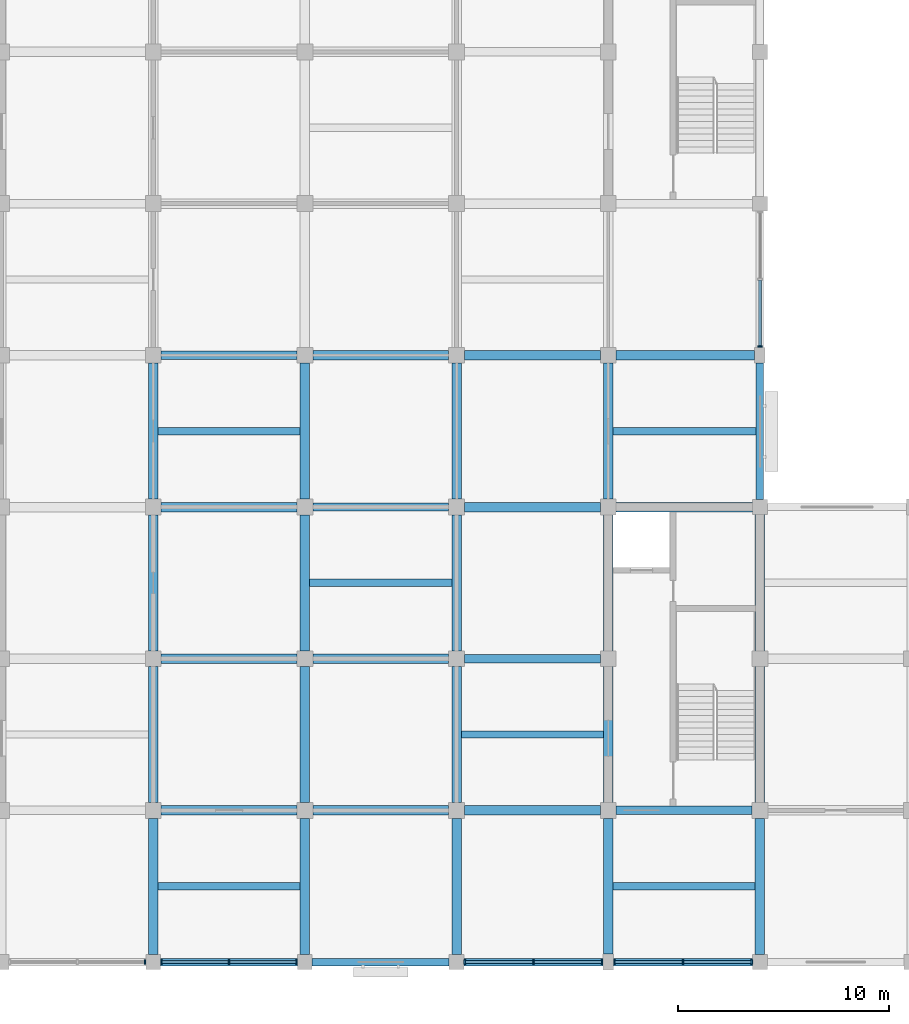
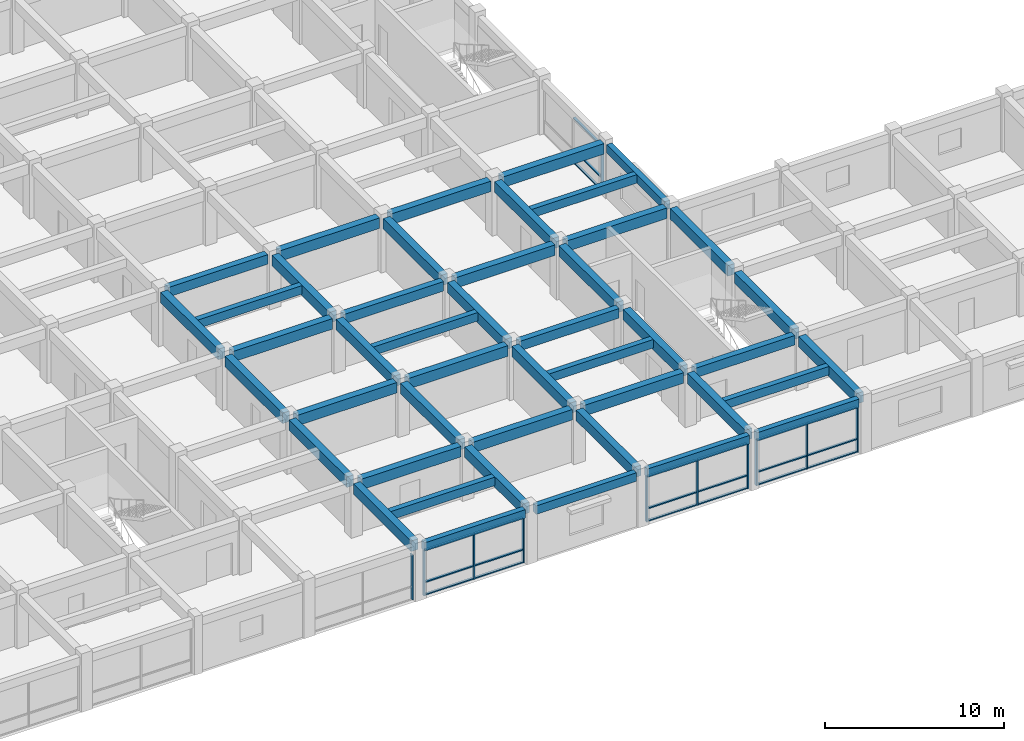
# One storey, part 7 of 25: 45 beams, 32 members, 5 elements without a shape of their own.
"""IFC4 building model written with IfcOpenShell, lengths in metres."""

from ifc_helpers import new_model, si_unit, direction, frame, origin, origin_2d, place, context, subcontext, project, spatial, rectangle, extrude, material, layer, layer_set, material_profile, profile_set, type_object, element, aggregate, save


model = new_model("IFC4")

# Units and contexts
model_context = context("Model", 3, precision=1e-05, world=origin(), true_north=direction((0.0, 1.0)))
body_context = subcontext(model_context, "Body", "Model", "MODEL_VIEW")
ifc_project = project(units=[si_unit("LENGTHUNIT", "METRE"), si_unit("AREAUNIT", "SQUARE_METRE"), si_unit("VOLUMEUNIT", "CUBIC_METRE"), si_unit("PLANEANGLEUNIT", "RADIAN"), si_unit("MASSUNIT", "GRAM", prefix="KILO")], contexts=[model_context])

# Site, building, storey
site_placement = place(None, origin())
site = spatial("IfcSite", under=ifc_project, at=site_placement, CompositionType="ELEMENT")
building_placement = place(site_placement, origin())
building = spatial("IfcBuilding", under=site, at=building_placement, Name="Cendaluz Park School", CompositionType="ELEMENT")
storey_placement = place(building_placement, frame((0.0, 0.0, 18.60009765625)))
storey = spatial("IfcBuildingStorey", under=building, at=storey_placement, Name="L04", CompositionType="ELEMENT", Elevation=18.60009765625)

# Beams
ifc_material_1 = material(Name="Concrete C40/50", Category="concrete")
ifc_material_profile_1 = material_profile(ifc_material_1, rectangle(XDim=0.449951171875, YDim=0.719970703125, at=origin_2d()), Name="RC 450x720", Category="concrete")
ifc_profile_set_1 = profile_set([ifc_material_profile_1], Name="Concrete C40/50")
beam_type_1 = type_object("IfcBeamType", Name="BM-RC02", PredefinedType="BEAM", material=ifc_profile_set_1)
for number, where, z_axis, x_axis, name in (
    (1, (79.574951171875, 14.39990234375, 3.329833984375), (1.0, 0.0, 0.0), (0.0, 1.0, 0.0), "BM-L04-BMRC02-0047"),
    (2, (79.574951171875, 21.60009765625, 3.329833984375), (1.0, 0.0, 0.0), (0.0, 1.0, 0.0), "BM-L04-BMRC02-0048"),
    (3, (79.574951171875, 28.800048828125, 3.329833984375), (1.0, 0.0, 0.0), (0.0, 1.0, 0.0), "BM-L04-BMRC02-0049"),
):
    element("IfcBeam", number, at=place(storey_placement, frame(where, z_axis=z_axis, x_axis=x_axis)), inside=storey, type_object=beam_type_1, Name=name, PredefinedType="BEAM", context=body_context, shape_type="SweptSolid", body=[
        extrude(rectangle(XDim=0.449951171875, YDim=0.719970703125, at=origin_2d()), origin(), (0.0, 0.0, 1.0), 6.449951171875),
    ])
for number, where, z_axis, x_axis, name in (
    (4, (86.77490234375, 14.39990234375, 3.329833984375), (1.0, 0.0, 0.0), (0.0, 1.0, 0.0), "BM-L04-BMRC02-0057"),
    (5, (86.77490234375, 21.60009765625, 3.329833984375), (1.0, 0.0, 0.0), (0.0, 1.0, 0.0), "BM-L04-BMRC02-0058"),
    (6, (86.77490234375, 36.0, 3.329833984375), (1.0, 0.0, 0.0), (0.0, 1.0, 0.0), "BM-L04-BMRC02-0060"),
):
    element("IfcBeam", number, at=place(storey_placement, frame(where, z_axis=z_axis, x_axis=x_axis)), inside=storey, type_object=beam_type_1, Name=name, PredefinedType="BEAM", context=body_context, shape_type="SweptSolid", body=[
        extrude(rectangle(XDim=0.449951171875, YDim=0.719970703125, at=origin_2d()), origin(), (0.0, 0.0, 1.0), 6.4501953125),
    ])
for number, where, z_axis, x_axis, name in (
    (7, (93.97509765625, 14.39990234375, 3.329833984375), (1.0, 0.0, 0.0), (0.0, 1.0, 0.0), "BM-L04-BMRC02-0067"),
    (8, (93.97509765625, 28.800048828125, 3.329833984375), (1.0, 0.0, 0.0), (0.0, 1.0, 0.0), "BM-L04-BMRC02-0069"),
    (9, (93.97509765625, 36.0, 3.329833984375), (1.0, 0.0, 0.0), (0.0, 1.0, 0.0), "BM-L04-BMRC02-0070"),
):
    element("IfcBeam", number, at=place(storey_placement, frame(where, z_axis=z_axis, x_axis=x_axis)), inside=storey, type_object=beam_type_1, Name=name, PredefinedType="BEAM", context=body_context, shape_type="SweptSolid", body=[
        extrude(rectangle(XDim=0.449951171875, YDim=0.719970703125, at=origin_2d()), origin(), (0.0, 0.0, 1.0), 6.449951171875),
    ])
beam_1_placement = place(storey_placement, frame((101.175048828125, 28.800048828125, 3.329833984375), z_axis=(1.0, 0.0, 0.0), x_axis=(0.0, 1.0, 0.0)))
element("IfcBeam", 10, at=beam_1_placement, inside=storey, type_object=beam_type_1, Name="BM-L04-BMRC02-0078", PredefinedType="BEAM", context=body_context, shape_type="SweptSolid", body=[
    extrude(rectangle(XDim=0.449951171875, YDim=0.719970703125, at=origin_2d()), origin(), (0.0, 0.0, 1.0), 6.474853515625),
])
beam_2_placement = place(storey_placement, frame((101.175048828125, 36.0, 3.329833984375), z_axis=(1.0, 0.0, 0.0), x_axis=(0.0, 1.0, 0.0)))
element("IfcBeam", 11, at=beam_2_placement, inside=storey, type_object=beam_type_1, Name="BM-L04-BMRC02-0079", PredefinedType="BEAM", context=body_context, shape_type="SweptSolid", body=[
    extrude(rectangle(XDim=0.449951171875, YDim=0.719970703125, at=origin_2d()), origin(), (0.0, 0.0, 1.0), 6.574951171875),
])
beam_3_placement = place(storey_placement, frame((79.199951171875, 7.550048828125, 3.329833984375), z_axis=(0.0, 1.0, 0.0), x_axis=(-1.0, 0.0, 0.0)))
element("IfcBeam", 12, at=beam_3_placement, inside=storey, type_object=beam_type_1, Name="BM-L04-BMRC02-0150", PredefinedType="BEAM", context=body_context, shape_type="SweptSolid", body=[
    extrude(rectangle(XDim=0.449951171875, YDim=0.719970703125, at=origin_2d()), origin(), (0.0, 0.0, 1.0), 6.474853515625),
])
beam_4_placement = place(storey_placement, frame((79.199951171875, 14.77490234375, 3.329833984375), z_axis=(0.0, 1.0, 0.0), x_axis=(-1.0, 0.0, 0.0)))
element("IfcBeam", 13, at=beam_4_placement, inside=storey, type_object=beam_type_1, Name="BM-L04-BMRC02-0151", PredefinedType="BEAM", context=body_context, shape_type="SweptSolid", body=[
    extrude(rectangle(XDim=0.449951171875, YDim=0.719970703125, at=origin_2d()), origin(), (0.0, 0.0, 1.0), 6.4501953125),
])
for number, where, z_axis, x_axis, name in (
    (14, (79.199951171875, 21.97509765625, 3.329833984375), (0.0, 1.0, 0.0), (-1.0, 0.0, 0.0), "BM-L04-BMRC02-0152"),
    (15, (79.199951171875, 29.175048828125, 3.329833984375), (0.0, 1.0, 0.0), (-1.0, 0.0, 0.0), "BM-L04-BMRC02-0153"),
):
    element("IfcBeam", number, at=place(storey_placement, frame(where, z_axis=z_axis, x_axis=x_axis)), inside=storey, type_object=beam_type_1, Name=name, PredefinedType="BEAM", context=body_context, shape_type="SweptSolid", body=[
        extrude(rectangle(XDim=0.449951171875, YDim=0.719970703125, at=origin_2d()), origin(), (0.0, 0.0, 1.0), 6.449951171875),
    ])
beam_5_placement = place(storey_placement, frame((86.39990234375, 7.550048828125, 3.329833984375), z_axis=(0.0, 1.0, 0.0), x_axis=(-1.0, 0.0, 0.0)))
element("IfcBeam", 16, at=beam_5_placement, inside=storey, type_object=beam_type_1, Name="BM-L04-BMRC02-0159", PredefinedType="BEAM", context=body_context, shape_type="SweptSolid", body=[
    extrude(rectangle(XDim=0.449951171875, YDim=0.719970703125, at=origin_2d()), origin(), (0.0, 0.0, 1.0), 6.474853515625),
])
beam_6_placement = place(storey_placement, frame((86.39990234375, 14.77490234375, 3.329833984375), z_axis=(0.0, 1.0, 0.0), x_axis=(-1.0, 0.0, 0.0)))
element("IfcBeam", 17, at=beam_6_placement, inside=storey, type_object=beam_type_1, Name="BM-L04-BMRC02-0160", PredefinedType="BEAM", context=body_context, shape_type="SweptSolid", body=[
    extrude(rectangle(XDim=0.449951171875, YDim=0.719970703125, at=origin_2d()), origin(), (0.0, 0.0, 1.0), 6.4501953125),
])
for number, where, z_axis, x_axis, name in (
    (18, (86.39990234375, 21.97509765625, 3.329833984375), (0.0, 1.0, 0.0), (-1.0, 0.0, 0.0), "BM-L04-BMRC02-0161"),
    (19, (86.39990234375, 29.175048828125, 3.329833984375), (0.0, 1.0, 0.0), (-1.0, 0.0, 0.0), "BM-L04-BMRC02-0162"),
):
    element("IfcBeam", number, at=place(storey_placement, frame(where, z_axis=z_axis, x_axis=x_axis)), inside=storey, type_object=beam_type_1, Name=name, PredefinedType="BEAM", context=body_context, shape_type="SweptSolid", body=[
        extrude(rectangle(XDim=0.449951171875, YDim=0.719970703125, at=origin_2d()), origin(), (0.0, 0.0, 1.0), 6.449951171875),
    ])
beam_7_placement = place(storey_placement, frame((93.60009765625, 7.550048828125, 3.329833984375), z_axis=(0.0, 1.0, 0.0), x_axis=(-1.0, 0.0, 0.0)))
element("IfcBeam", 20, at=beam_7_placement, inside=storey, type_object=beam_type_1, Name="BM-L04-BMRC02-0168", PredefinedType="BEAM", context=body_context, shape_type="SweptSolid", body=[
    extrude(rectangle(XDim=0.449951171875, YDim=0.719970703125, at=origin_2d()), origin(), (0.0, 0.0, 1.0), 6.474853515625),
])
beam_8_placement = place(storey_placement, frame((93.60009765625, 14.77490234375, 3.329833984375), z_axis=(0.0, 1.0, 0.0), x_axis=(-1.0, 0.0, 0.0)))
element("IfcBeam", 21, at=beam_8_placement, inside=storey, type_object=beam_type_1, Name="BM-L04-BMRC02-0169", PredefinedType="BEAM", context=body_context, shape_type="SweptSolid", body=[
    extrude(rectangle(XDim=0.449951171875, YDim=0.719970703125, at=origin_2d()), origin(), (0.0, 0.0, 1.0), 6.4501953125),
])
for number, where, z_axis, x_axis, name in (
    (22, (93.60009765625, 21.97509765625, 3.329833984375), (0.0, 1.0, 0.0), (-1.0, 0.0, 0.0), "BM-L04-BMRC02-0170"),
    (23, (93.60009765625, 29.175048828125, 3.329833984375), (0.0, 1.0, 0.0), (-1.0, 0.0, 0.0), "BM-L04-BMRC02-0171"),
    (24, (100.800048828125, 7.574951171875, 3.329833984375), (0.0, 1.0, 0.0), (-1.0, 0.0, 0.0), "BM-L04-BMRC02-0177"),
):
    element("IfcBeam", number, at=place(storey_placement, frame(where, z_axis=z_axis, x_axis=x_axis)), inside=storey, type_object=beam_type_1, Name=name, PredefinedType="BEAM", context=body_context, shape_type="SweptSolid", body=[
        extrude(rectangle(XDim=0.449951171875, YDim=0.719970703125, at=origin_2d()), origin(), (0.0, 0.0, 1.0), 6.449951171875),
    ])
beam_9_placement = place(storey_placement, frame((100.800048828125, 14.77490234375, 3.329833984375), z_axis=(0.0, 1.0, 0.0), x_axis=(-1.0, 0.0, 0.0)))
element("IfcBeam", 25, at=beam_9_placement, inside=storey, type_object=beam_type_1, Name="BM-L04-BMRC02-0178", PredefinedType="BEAM", context=body_context, shape_type="SweptSolid", body=[
    extrude(rectangle(XDim=0.449951171875, YDim=0.719970703125, at=origin_2d()), origin(), (0.0, 0.0, 1.0), 6.4501953125),
])
for number, where, z_axis, x_axis, name in (
    (26, (100.800048828125, 21.97509765625, 3.329833984375), (0.0, 1.0, 0.0), (-1.0, 0.0, 0.0), "BM-L04-BMRC02-0179"),
    (27, (100.800048828125, 29.175048828125, 3.329833984375), (0.0, 1.0, 0.0), (-1.0, 0.0, 0.0), "BM-L04-BMRC02-0180"),
):
    element("IfcBeam", number, at=place(storey_placement, frame(where, z_axis=z_axis, x_axis=x_axis)), inside=storey, type_object=beam_type_1, Name=name, PredefinedType="BEAM", context=body_context, shape_type="SweptSolid", body=[
        extrude(rectangle(XDim=0.449951171875, YDim=0.719970703125, at=origin_2d()), origin(), (0.0, 0.0, 1.0), 6.449951171875),
    ])
beam_10_placement = place(storey_placement, frame((108.0, 7.550048828125, 3.329833984375), z_axis=(0.0, 1.0, 0.0), x_axis=(-1.0, 0.0, 0.0)))
element("IfcBeam", 28, at=beam_10_placement, inside=storey, type_object=beam_type_1, Name="BM-L04-BMRC02-0186", PredefinedType="BEAM", context=body_context, shape_type="SweptSolid", body=[
    extrude(rectangle(XDim=0.449951171875, YDim=0.719970703125, at=origin_2d()), origin(), (0.0, 0.0, 1.0), 6.474853515625),
])
beam_11_placement = place(storey_placement, frame((108.0, 14.77490234375, 3.329833984375), z_axis=(0.0, 1.0, 0.0), x_axis=(-1.0, 0.0, 0.0)))
element("IfcBeam", 29, at=beam_11_placement, inside=storey, type_object=beam_type_1, Name="BM-L04-BMRC02-0187", PredefinedType="BEAM", context=body_context, shape_type="SweptSolid", body=[
    extrude(rectangle(XDim=0.449951171875, YDim=0.719970703125, at=origin_2d()), origin(), (0.0, 0.0, 1.0), 6.4501953125),
])
beam_12_placement = place(storey_placement, frame((108.0, 21.97509765625, 3.329833984375), z_axis=(0.0, 1.0, 0.0), x_axis=(-1.0, 0.0, 0.0)))
element("IfcBeam", 30, at=beam_12_placement, inside=storey, type_object=beam_type_1, Name="BM-L04-BMRC02-0188", PredefinedType="BEAM", context=body_context, shape_type="SweptSolid", body=[
    extrude(rectangle(XDim=0.449951171875, YDim=0.719970703125, at=origin_2d()), origin(), (0.0, 0.0, 1.0), 6.474853515625),
])
ifc_material_profile_2 = material_profile(ifc_material_1, rectangle(XDim=0.39990234375, YDim=0.64990234375, at=origin_2d()), Name="RC 400x650", Category="concrete")
ifc_profile_set_2 = profile_set([ifc_material_profile_2], Name="Concrete C40/50")
beam_type_2 = type_object("IfcBeamType", Name="BM-RC03", PredefinedType="T_BEAM", material=ifc_profile_set_2)
beam_13_placement = place(storey_placement, frame((79.574951171875, 36.0, 3.364990234375), z_axis=(1.0, 0.0, 0.0), x_axis=(0.0, 1.0, 0.0)))
element("IfcBeam", 31, at=beam_13_placement, inside=storey, type_object=beam_type_2, Name="BM-L04-BMRC03-0050", PredefinedType="T_BEAM", context=body_context, shape_type="SweptSolid", body=[
    extrude(rectangle(XDim=0.39990234375, YDim=0.64990234375, at=origin_2d()), origin(), (0.0, 0.0, 1.0), 6.449951171875),
])
beam_14_placement = place(storey_placement, frame((86.77490234375, 28.800048828125, 3.364990234375), z_axis=(1.0, 0.0, 0.0), x_axis=(0.0, 1.0, 0.0)))
element("IfcBeam", 32, at=beam_14_placement, inside=storey, type_object=beam_type_2, Name="BM-L04-BMRC03-0059", PredefinedType="T_BEAM", context=body_context, shape_type="SweptSolid", body=[
    extrude(rectangle(XDim=0.39990234375, YDim=0.64990234375, at=origin_2d()), origin(), (0.0, 0.0, 1.0), 6.4501953125),
])
for number, where, z_axis, x_axis, name in (
    (33, (93.97509765625, 21.60009765625, 3.364990234375), (1.0, 0.0, 0.0), (0.0, 1.0, 0.0), "BM-L04-BMRC03-0068"),
    (34, (101.175048828125, 14.39990234375, 3.364990234375), (1.0, 0.0, 0.0), (0.0, 1.0, 0.0), "BM-L04-BMRC03-0077"),
):
    element("IfcBeam", number, at=place(storey_placement, frame(where, z_axis=z_axis, x_axis=x_axis)), inside=storey, type_object=beam_type_2, Name=name, PredefinedType="T_BEAM", context=body_context, shape_type="SweptSolid", body=[
        extrude(rectangle(XDim=0.39990234375, YDim=0.64990234375, at=origin_2d()), origin(), (0.0, 0.0, 1.0), 6.449951171875),
    ])
ifc_material_profile_3 = material_profile(ifc_material_1, rectangle(XDim=0.35009765625, YDim=0.580078125, at=origin_2d()), Name="RC 350x580", Category="concrete")
ifc_profile_set_3 = profile_set([ifc_material_profile_3], Name="Concrete C40/50")
beam_type_3 = type_object("IfcBeamType", Name="BM-RC04", PredefinedType="LINTEL", material=ifc_profile_set_3)
for number, where, z_axis, x_axis, name in (
    (35, (79.550048828125, 7.199951171875, 3.39990234375), (1.0, 0.0, 0.0), (0.0, 1.0, 0.0), "BM-L04-BMRC04-0046"),
    (36, (86.75, 7.199951171875, 3.39990234375), (1.0, 0.0, 0.0), (0.0, 1.0, 0.0), "BM-L04-BMRC04-0056"),
):
    element("IfcBeam", number, at=place(storey_placement, frame(where, z_axis=z_axis, x_axis=x_axis)), inside=storey, type_object=beam_type_3, Name=name, PredefinedType="LINTEL", context=body_context, shape_type="SweptSolid", body=[
        extrude(rectangle(XDim=0.35009765625, YDim=0.580078125, at=origin_2d()), origin(), (0.0, 0.0, 1.0), 6.5),
    ])
beam_15_placement = place(storey_placement, frame((93.949951171875, 7.199951171875, 3.39990234375), z_axis=(1.0, 0.0, 0.0), x_axis=(0.0, 1.0, 0.0)))
element("IfcBeam", 37, at=beam_15_placement, inside=storey, type_object=beam_type_3, Name="BM-L04-BMRC04-0066", PredefinedType="LINTEL", context=body_context, shape_type="SweptSolid", body=[
    extrude(rectangle(XDim=0.35009765625, YDim=0.580078125, at=origin_2d()), origin(), (0.0, 0.0, 1.0), 6.60009765625),
])
beam_16_placement = place(storey_placement, frame((101.050048828125, 7.199951171875, 3.39990234375), z_axis=(1.0, 0.0, 0.0), x_axis=(0.0, 1.0, 0.0)))
element("IfcBeam", 38, at=beam_16_placement, inside=storey, type_object=beam_type_3, Name="BM-L04-BMRC04-0076", PredefinedType="LINTEL", context=body_context, shape_type="SweptSolid", body=[
    extrude(rectangle(XDim=0.35009765625, YDim=0.580078125, at=origin_2d()), origin(), (0.0, 0.0, 1.0), 6.599853515625),
])
beam_17_placement = place(storey_placement, frame((108.0, 29.14990234375, 3.39990234375), z_axis=(0.0, 1.0, 0.0), x_axis=(-1.0, 0.0, 0.0)))
element("IfcBeam", 39, at=beam_17_placement, inside=storey, type_object=beam_type_3, Name="BM-L04-BMRC04-0189", PredefinedType="LINTEL", context=body_context, shape_type="SweptSolid", body=[
    extrude(rectangle(XDim=0.35009765625, YDim=0.580078125, at=origin_2d()), origin(), (0.0, 0.0, 1.0), 6.47509765625),
])

# Curtain wall, member
ifc_material_2 = material(Name="Anodised Aluminium 6063-T6", Category="aluminium")
ifc_layer_1 = layer(ifc_material_2, 0.179931640625)
ifc_layer_set_1 = layer_set([ifc_layer_1], Name="Anodised Aluminium 6063-T6")
curtain_wall_type_1 = type_object("IfcCurtainWallType", Name="CW-130x62", PredefinedType="NOTDEFINED", material=ifc_layer_set_1)
curtain_wall_1_placement = place(storey_placement, origin())
curtain_wall_1 = element("IfcCurtainWall", 40, at=curtain_wall_1_placement, inside=storey, type_object=curtain_wall_type_1, Name="CW-L04-175", PredefinedType="NOTDEFINED")
ifc_material_profile_4 = material_profile(ifc_material_2, rectangle(XDim=0.199951171875, YDim=0.080078125, at=origin_2d()), Name="CWM 200x80", Category="aluminium")
ifc_profile_set_4 = profile_set([ifc_material_profile_4], Name="Anodised Aluminium 6063-T6")
member_type_1 = type_object("IfcMemberType", Name="CWM-02", PredefinedType="MULLION", material=ifc_profile_set_4)
member_1_placement = place(storey_placement, frame((78.81005859375, 7.199951171875, 0.0), z_axis=(0.0, 0.0, 1.0), x_axis=(0.0, 1.0, 0.0)))
member_1 = element("IfcMember", 41, at=member_1_placement, type_object=member_type_1, Name="CP-L04-2265", PredefinedType="MULLION", context=body_context, shape_type="SweptSolid", body=[
    extrude(rectangle(XDim=0.199951171875, YDim=0.080078125, at=origin_2d()), origin(), (0.0, 0.0, 1.0), 3.10986328125),
])
aggregate(curtain_wall_1, [member_1])

# Curtain wall, members
curtain_wall_2_placement = place(storey_placement, origin())
curtain_wall_2 = element("IfcCurtainWall", 42, at=curtain_wall_2_placement, inside=storey, type_object=curtain_wall_type_1, Name="CW-L04-177", PredefinedType="NOTDEFINED")
member_2_placement = place(storey_placement, frame((79.590087890625, 7.199951171875, 0.0), z_axis=(0.0, 0.0, 1.0), x_axis=(0.0, 1.0, 0.0)))
member_2 = element("IfcMember", 43, at=member_2_placement, type_object=member_type_1, Name="CP-L04-2289", PredefinedType="MULLION", context=body_context, shape_type="SweptSolid", body=[
    extrude(rectangle(XDim=0.199951171875, YDim=0.080078125, at=origin_2d()), origin(), (0.0, 0.0, 1.0), 3.10986328125),
])
member_3_placement = place(storey_placement, frame((82.800048828125, 7.199951171875, 0.0), z_axis=(0.0, 0.0, 1.0), x_axis=(0.0, 1.0, 0.0)))
member_3 = element("IfcMember", 44, at=member_3_placement, type_object=member_type_1, Name="CP-L04-2290", PredefinedType="MULLION", context=body_context, shape_type="SweptSolid", body=[
    extrude(rectangle(XDim=0.199951171875, YDim=0.080078125, at=origin_2d()), origin(), (0.0, 0.0, 1.0), 3.10986328125),
])
member_4_placement = place(storey_placement, frame((86.010009765625, 7.199951171875, 0.0), z_axis=(0.0, 0.0, 1.0), x_axis=(0.0, 1.0, 0.0)))
member_4 = element("IfcMember", 45, at=member_4_placement, type_object=member_type_1, Name="CP-L04-2291", PredefinedType="MULLION", context=body_context, shape_type="SweptSolid", body=[
    extrude(rectangle(XDim=0.199951171875, YDim=0.080078125, at=origin_2d()), origin(), (0.0, 0.0, 1.0), 3.10986328125),
])

ifc_layer_2 = layer(ifc_material_2, 0.179931640625)
ifc_layer_set_2 = layer_set([ifc_layer_2], Name="Anodised Aluminium 6063-T6")
curtain_wall_type_2 = type_object("IfcCurtainWallType", Name="CW-132x62", PredefinedType="NOTDEFINED", material=ifc_layer_set_2)
curtain_wall_3_placement = place(storey_placement, origin())
curtain_wall_3 = element("IfcCurtainWall", 46, at=curtain_wall_3_placement, inside=storey, type_object=curtain_wall_type_2, Name="CW-L04-179", PredefinedType="NOTDEFINED")
member_5_placement = place(storey_placement, frame((93.989990234375, 7.199951171875, 0.0), z_axis=(0.0, 0.0, 1.0), x_axis=(0.0, 1.0, 0.0)))
member_5 = element("IfcMember", 47, at=member_5_placement, type_object=member_type_1, Name="CP-L04-2315", PredefinedType="MULLION", context=body_context, shape_type="SweptSolid", body=[
    extrude(rectangle(XDim=0.199951171875, YDim=0.080078125, at=origin_2d()), origin(), (0.0, 0.0, 1.0), 3.10986328125),
])
member_6_placement = place(storey_placement, frame((97.25, 7.199951171875, 0.0), z_axis=(0.0, 0.0, 1.0), x_axis=(0.0, 1.0, 0.0)))
member_6 = element("IfcMember", 48, at=member_6_placement, type_object=member_type_1, Name="CP-L04-2316", PredefinedType="MULLION", context=body_context, shape_type="SweptSolid", body=[
    extrude(rectangle(XDim=0.199951171875, YDim=0.080078125, at=origin_2d()), origin(), (0.0, 0.0, 1.0), 3.10986328125),
])
member_7_placement = place(storey_placement, frame((100.510009765625, 7.199951171875, 0.0), z_axis=(0.0, 0.0, 1.0), x_axis=(0.0, 1.0, 0.0)))
member_7 = element("IfcMember", 49, at=member_7_placement, type_object=member_type_1, Name="CP-L04-2317", PredefinedType="MULLION", context=body_context, shape_type="SweptSolid", body=[
    extrude(rectangle(XDim=0.199951171875, YDim=0.080078125, at=origin_2d()), origin(), (0.0, 0.0, 1.0), 3.10986328125),
])

curtain_wall_4_placement = place(storey_placement, origin())
curtain_wall_4 = element("IfcCurtainWall", 50, at=curtain_wall_4_placement, inside=storey, type_object=curtain_wall_type_2, Name="CW-L04-181", PredefinedType="NOTDEFINED")
member_8_placement = place(storey_placement, frame((101.090087890625, 7.199951171875, 0.0), z_axis=(0.0, 0.0, 1.0), x_axis=(0.0, 1.0, 0.0)))
member_8 = element("IfcMember", 51, at=member_8_placement, type_object=member_type_1, Name="CP-L04-2341", PredefinedType="MULLION", context=body_context, shape_type="SweptSolid", body=[
    extrude(rectangle(XDim=0.199951171875, YDim=0.080078125, at=origin_2d()), origin(), (0.0, 0.0, 1.0), 3.10986328125),
])
member_9_placement = place(storey_placement, frame((104.35009765625, 7.199951171875, 0.0), z_axis=(0.0, 0.0, 1.0), x_axis=(0.0, 1.0, 0.0)))
member_9 = element("IfcMember", 52, at=member_9_placement, type_object=member_type_1, Name="CP-L04-2342", PredefinedType="MULLION", context=body_context, shape_type="SweptSolid", body=[
    extrude(rectangle(XDim=0.199951171875, YDim=0.080078125, at=origin_2d()), origin(), (0.0, 0.0, 1.0), 3.10986328125),
])
member_10_placement = place(storey_placement, frame((107.610107421875, 7.199951171875, 0.0), z_axis=(0.0, 0.0, 1.0), x_axis=(0.0, 1.0, 0.0)))
member_10 = element("IfcMember", 53, at=member_10_placement, type_object=member_type_1, Name="CP-L04-2343", PredefinedType="MULLION", context=body_context, shape_type="SweptSolid", body=[
    extrude(rectangle(XDim=0.199951171875, YDim=0.080078125, at=origin_2d()), origin(), (0.0, 0.0, 1.0), 3.10986328125),
])

# Curtain wall, member
curtain_wall_5_placement = place(storey_placement, origin())
curtain_wall_5 = element("IfcCurtainWall", 54, at=curtain_wall_5_placement, inside=storey, type_object=curtain_wall_type_1, Name="CW-L04-182", PredefinedType="NOTDEFINED")
member_11_placement = place(storey_placement, frame((108.0, 36.4150390625, 0.0), z_axis=(0.0, 0.0, 1.0), x_axis=(-1.0, 0.0, 0.0)))
member_11 = element("IfcMember", 55, at=member_11_placement, type_object=member_type_1, Name="CP-L04-2354", PredefinedType="MULLION", context=body_context, shape_type="SweptSolid", body=[
    extrude(rectangle(XDim=0.199951171875, YDim=0.080078125, at=origin_2d()), origin(), (0.0, 0.0, 1.0), 3.10986328125),
])

# Member
ifc_material_profile_5 = material_profile(ifc_material_2, rectangle(XDim=0.14990234375, YDim=0.080078125, at=origin_2d()), Name="CWT 150x80", Category="aluminium")
ifc_profile_set_5 = profile_set([ifc_material_profile_5], Name="Anodised Aluminium 6063-T6")
member_type_2 = type_object("IfcMemberType", Name="CWT-02", PredefinedType="USERDEFINED", material=ifc_profile_set_5)
member_12_placement = place(storey_placement, frame((79.6298828125, 7.199951171875, 0.039794921875), z_axis=(1.0, 0.0, 0.0), x_axis=(0.0, 1.0, 0.0)))
member_12 = element("IfcMember", 56, at=member_12_placement, type_object=member_type_2, Name="CP-L04-2292", ObjectType="TRANSOM", PredefinedType="USERDEFINED", context=body_context, shape_type="SweptSolid", body=[
    extrude(rectangle(XDim=0.14990234375, YDim=0.080078125, at=origin_2d()), origin(), (0.0, 0.0, 1.0), 3.130126953125),
])

member_13_placement = place(storey_placement, frame((79.6298828125, 7.199951171875, 0.89990234375), z_axis=(1.0, 0.0, 0.0), x_axis=(0.0, 1.0, 0.0)))
member_13 = element("IfcMember", 57, at=member_13_placement, type_object=member_type_2, Name="CP-L04-2293", ObjectType="TRANSOM", PredefinedType="USERDEFINED", context=body_context, shape_type="SweptSolid", body=[
    extrude(rectangle(XDim=0.14990234375, YDim=0.080078125, at=origin_2d()), origin(), (0.0, 0.0, 1.0), 3.130126953125),
])

member_14_placement = place(storey_placement, frame((79.6298828125, 7.199951171875, 3.06982421875), z_axis=(1.0, 0.0, 0.0), x_axis=(0.0, 1.0, 0.0)))
member_14 = element("IfcMember", 58, at=member_14_placement, type_object=member_type_2, Name="CP-L04-2294", ObjectType="TRANSOM", PredefinedType="USERDEFINED", context=body_context, shape_type="SweptSolid", body=[
    extrude(rectangle(XDim=0.14990234375, YDim=0.080078125, at=origin_2d()), origin(), (0.0, 0.0, 1.0), 3.130126953125),
])

member_15_placement = place(storey_placement, frame((82.840087890625, 7.199951171875, 0.039794921875), z_axis=(1.0, 0.0, 0.0), x_axis=(0.0, 1.0, 0.0)))
member_15 = element("IfcMember", 59, at=member_15_placement, type_object=member_type_2, Name="CP-L04-2297", ObjectType="TRANSOM", PredefinedType="USERDEFINED", context=body_context, shape_type="SweptSolid", body=[
    extrude(rectangle(XDim=0.14990234375, YDim=0.080078125, at=origin_2d()), origin(), (0.0, 0.0, 1.0), 3.1298828125),
])

member_16_placement = place(storey_placement, frame((82.840087890625, 7.199951171875, 0.89990234375), z_axis=(1.0, 0.0, 0.0), x_axis=(0.0, 1.0, 0.0)))
member_16 = element("IfcMember", 60, at=member_16_placement, type_object=member_type_2, Name="CP-L04-2298", ObjectType="TRANSOM", PredefinedType="USERDEFINED", context=body_context, shape_type="SweptSolid", body=[
    extrude(rectangle(XDim=0.14990234375, YDim=0.080078125, at=origin_2d()), origin(), (0.0, 0.0, 1.0), 3.1298828125),
])

member_17_placement = place(storey_placement, frame((82.840087890625, 7.199951171875, 3.06982421875), z_axis=(1.0, 0.0, 0.0), x_axis=(0.0, 1.0, 0.0)))
member_17 = element("IfcMember", 61, at=member_17_placement, type_object=member_type_2, Name="CP-L04-2299", ObjectType="TRANSOM", PredefinedType="USERDEFINED", context=body_context, shape_type="SweptSolid", body=[
    extrude(rectangle(XDim=0.14990234375, YDim=0.080078125, at=origin_2d()), origin(), (0.0, 0.0, 1.0), 3.1298828125),
])

aggregate(curtain_wall_2, [member_2, member_3, member_4, member_12, member_13, member_14, member_15, member_16, member_17])

member_18_placement = place(storey_placement, frame((94.030029296875, 7.199951171875, 0.039794921875), z_axis=(1.0, 0.0, 0.0), x_axis=(0.0, 1.0, 0.0)))
member_18 = element("IfcMember", 62, at=member_18_placement, type_object=member_type_2, Name="CP-L04-2318", ObjectType="TRANSOM", PredefinedType="USERDEFINED", context=body_context, shape_type="SweptSolid", body=[
    extrude(rectangle(XDim=0.14990234375, YDim=0.080078125, at=origin_2d()), origin(), (0.0, 0.0, 1.0), 3.179931640625),
])

member_19_placement = place(storey_placement, frame((94.030029296875, 7.199951171875, 0.89990234375), z_axis=(1.0, 0.0, 0.0), x_axis=(0.0, 1.0, 0.0)))
member_19 = element("IfcMember", 63, at=member_19_placement, type_object=member_type_2, Name="CP-L04-2319", ObjectType="TRANSOM", PredefinedType="USERDEFINED", context=body_context, shape_type="SweptSolid", body=[
    extrude(rectangle(XDim=0.14990234375, YDim=0.080078125, at=origin_2d()), origin(), (0.0, 0.0, 1.0), 3.179931640625),
])

member_20_placement = place(storey_placement, frame((94.030029296875, 7.199951171875, 3.06982421875), z_axis=(1.0, 0.0, 0.0), x_axis=(0.0, 1.0, 0.0)))
member_20 = element("IfcMember", 64, at=member_20_placement, type_object=member_type_2, Name="CP-L04-2320", ObjectType="TRANSOM", PredefinedType="USERDEFINED", context=body_context, shape_type="SweptSolid", body=[
    extrude(rectangle(XDim=0.14990234375, YDim=0.080078125, at=origin_2d()), origin(), (0.0, 0.0, 1.0), 3.179931640625),
])

member_21_placement = place(storey_placement, frame((97.2900390625, 7.199951171875, 0.039794921875), z_axis=(1.0, 0.0, 0.0), x_axis=(0.0, 1.0, 0.0)))
member_21 = element("IfcMember", 65, at=member_21_placement, type_object=member_type_2, Name="CP-L04-2323", ObjectType="TRANSOM", PredefinedType="USERDEFINED", context=body_context, shape_type="SweptSolid", body=[
    extrude(rectangle(XDim=0.14990234375, YDim=0.080078125, at=origin_2d()), origin(), (0.0, 0.0, 1.0), 3.179931640625),
])

member_22_placement = place(storey_placement, frame((97.2900390625, 7.199951171875, 0.89990234375), z_axis=(1.0, 0.0, 0.0), x_axis=(0.0, 1.0, 0.0)))
member_22 = element("IfcMember", 66, at=member_22_placement, type_object=member_type_2, Name="CP-L04-2324", ObjectType="TRANSOM", PredefinedType="USERDEFINED", context=body_context, shape_type="SweptSolid", body=[
    extrude(rectangle(XDim=0.14990234375, YDim=0.080078125, at=origin_2d()), origin(), (0.0, 0.0, 1.0), 3.179931640625),
])

member_23_placement = place(storey_placement, frame((97.2900390625, 7.199951171875, 3.06982421875), z_axis=(1.0, 0.0, 0.0), x_axis=(0.0, 1.0, 0.0)))
member_23 = element("IfcMember", 67, at=member_23_placement, type_object=member_type_2, Name="CP-L04-2325", ObjectType="TRANSOM", PredefinedType="USERDEFINED", context=body_context, shape_type="SweptSolid", body=[
    extrude(rectangle(XDim=0.14990234375, YDim=0.080078125, at=origin_2d()), origin(), (0.0, 0.0, 1.0), 3.179931640625),
])

aggregate(curtain_wall_3, [member_5, member_6, member_7, member_18, member_19, member_20, member_21, member_22, member_23])

member_24_placement = place(storey_placement, frame((101.1298828125, 7.199951171875, 0.039794921875), z_axis=(1.0, 0.0, 0.0), x_axis=(0.0, 1.0, 0.0)))
member_24 = element("IfcMember", 68, at=member_24_placement, type_object=member_type_2, Name="CP-L04-2344", ObjectType="TRANSOM", PredefinedType="USERDEFINED", context=body_context, shape_type="SweptSolid", body=[
    extrude(rectangle(XDim=0.14990234375, YDim=0.080078125, at=origin_2d()), origin(), (0.0, 0.0, 1.0), 3.18017578125),
])

member_25_placement = place(storey_placement, frame((101.1298828125, 7.199951171875, 0.89990234375), z_axis=(1.0, 0.0, 0.0), x_axis=(0.0, 1.0, 0.0)))
member_25 = element("IfcMember", 69, at=member_25_placement, type_object=member_type_2, Name="CP-L04-2345", ObjectType="TRANSOM", PredefinedType="USERDEFINED", context=body_context, shape_type="SweptSolid", body=[
    extrude(rectangle(XDim=0.14990234375, YDim=0.080078125, at=origin_2d()), origin(), (0.0, 0.0, 1.0), 3.18017578125),
])

member_26_placement = place(storey_placement, frame((101.1298828125, 7.199951171875, 3.06982421875), z_axis=(1.0, 0.0, 0.0), x_axis=(0.0, 1.0, 0.0)))
member_26 = element("IfcMember", 70, at=member_26_placement, type_object=member_type_2, Name="CP-L04-2346", ObjectType="TRANSOM", PredefinedType="USERDEFINED", context=body_context, shape_type="SweptSolid", body=[
    extrude(rectangle(XDim=0.14990234375, YDim=0.080078125, at=origin_2d()), origin(), (0.0, 0.0, 1.0), 3.18017578125),
])

member_27_placement = place(storey_placement, frame((104.389892578125, 7.199951171875, 0.039794921875), z_axis=(1.0, 0.0, 0.0), x_axis=(0.0, 1.0, 0.0)))
member_27 = element("IfcMember", 71, at=member_27_placement, type_object=member_type_2, Name="CP-L04-2349", ObjectType="TRANSOM", PredefinedType="USERDEFINED", context=body_context, shape_type="SweptSolid", body=[
    extrude(rectangle(XDim=0.14990234375, YDim=0.080078125, at=origin_2d()), origin(), (0.0, 0.0, 1.0), 3.18017578125),
])

member_28_placement = place(storey_placement, frame((104.389892578125, 7.199951171875, 0.89990234375), z_axis=(1.0, 0.0, 0.0), x_axis=(0.0, 1.0, 0.0)))
member_28 = element("IfcMember", 72, at=member_28_placement, type_object=member_type_2, Name="CP-L04-2350", ObjectType="TRANSOM", PredefinedType="USERDEFINED", context=body_context, shape_type="SweptSolid", body=[
    extrude(rectangle(XDim=0.14990234375, YDim=0.080078125, at=origin_2d()), origin(), (0.0, 0.0, 1.0), 3.18017578125),
])

member_29_placement = place(storey_placement, frame((104.389892578125, 7.199951171875, 3.06982421875), z_axis=(1.0, 0.0, 0.0), x_axis=(0.0, 1.0, 0.0)))
member_29 = element("IfcMember", 73, at=member_29_placement, type_object=member_type_2, Name="CP-L04-2351", ObjectType="TRANSOM", PredefinedType="USERDEFINED", context=body_context, shape_type="SweptSolid", body=[
    extrude(rectangle(XDim=0.14990234375, YDim=0.080078125, at=origin_2d()), origin(), (0.0, 0.0, 1.0), 3.18017578125),
])

aggregate(curtain_wall_4, [member_8, member_9, member_10, member_24, member_25, member_26, member_27, member_28, member_29])

member_30_placement = place(storey_placement, frame((108.0, 36.455078125, 0.039794921875), z_axis=(0.0, 1.0, 0.0), x_axis=(-1.0, 0.0, 0.0)))
member_30 = element("IfcMember", 74, at=member_30_placement, type_object=member_type_2, Name="CP-L04-2357", ObjectType="TRANSOM", PredefinedType="USERDEFINED", context=body_context, shape_type="SweptSolid", body=[
    extrude(rectangle(XDim=0.14990234375, YDim=0.080078125, at=origin_2d()), origin(), (0.0, 0.0, 1.0), 3.117431640625),
])

member_31_placement = place(storey_placement, frame((108.0, 36.455078125, 0.89990234375), z_axis=(0.0, 1.0, 0.0), x_axis=(-1.0, 0.0, 0.0)))
member_31 = element("IfcMember", 75, at=member_31_placement, type_object=member_type_2, Name="CP-L04-2358", ObjectType="TRANSOM", PredefinedType="USERDEFINED", context=body_context, shape_type="SweptSolid", body=[
    extrude(rectangle(XDim=0.14990234375, YDim=0.080078125, at=origin_2d()), origin(), (0.0, 0.0, 1.0), 3.117431640625),
])

member_32_placement = place(storey_placement, frame((108.0, 36.455078125, 3.06982421875), z_axis=(0.0, 1.0, 0.0), x_axis=(-1.0, 0.0, 0.0)))
member_32 = element("IfcMember", 76, at=member_32_placement, type_object=member_type_2, Name="CP-L04-2359", ObjectType="TRANSOM", PredefinedType="USERDEFINED", context=body_context, shape_type="SweptSolid", body=[
    extrude(rectangle(XDim=0.14990234375, YDim=0.080078125, at=origin_2d()), origin(), (0.0, 0.0, 1.0), 3.117431640625),
])

aggregate(curtain_wall_5, [member_11, member_30, member_31, member_32])

# Beams
ifc_material_profile_6 = material_profile(ifc_material_1, rectangle(XDim=0.35009765625, YDim=0.580078125, at=origin_2d()), Name="RC 350x580", Category="concrete")
ifc_profile_set_6 = profile_set([ifc_material_profile_6], Name="Concrete C40/50")
beam_type_4 = type_object("IfcBeamType", Name="JT-RC01", PredefinedType="JOIST", material=ifc_profile_set_6)
for number, where, z_axis, x_axis, name in (
    (77, (79.425048828125, 10.800048828125, 3.39990234375), (1.0, 0.0, 0.0), (0.0, 1.0, 0.0), "BM-L04-JTRC01-0227"),
    (78, (79.425048828125, 32.39990234375, 3.39990234375), (1.0, 0.0, 0.0), (0.0, 1.0, 0.0), "BM-L04-JTRC01-0228"),
    (79, (86.625, 25.199951171875, 3.39990234375), (1.0, 0.0, 0.0), (0.0, 1.0, 0.0), "BM-L04-JTRC01-0230"),
    (80, (93.824951171875, 18.0, 3.39990234375), (1.0, 0.0, 0.0), (0.0, 1.0, 0.0), "BM-L04-JTRC01-0233"),
    (81, (101.02490234375, 10.800048828125, 3.39990234375), (1.0, 0.0, 0.0), (0.0, 1.0, 0.0), "BM-L04-JTRC01-0236"),
):
    element("IfcBeam", number, at=place(storey_placement, frame(where, z_axis=z_axis, x_axis=x_axis)), inside=storey, type_object=beam_type_4, Name=name, PredefinedType="JOIST", context=body_context, shape_type="SweptSolid", body=[
        extrude(rectangle(XDim=0.35009765625, YDim=0.580078125, at=origin_2d()), origin(), (0.0, 0.0, 1.0), 6.75),
    ])
beam_18_placement = place(storey_placement, frame((101.02490234375, 32.39990234375, 3.39990234375), z_axis=(1.0, 0.0, 0.0), x_axis=(0.0, 1.0, 0.0)))
element("IfcBeam", 82, at=beam_18_placement, inside=storey, type_object=beam_type_4, Name="BM-L04-JTRC01-0237", PredefinedType="JOIST", context=body_context, shape_type="SweptSolid", body=[
    extrude(rectangle(XDim=0.35009765625, YDim=0.580078125, at=origin_2d()), origin(), (0.0, 0.0, 1.0), 6.800048828125),
])

save(model, "model.ifc")
